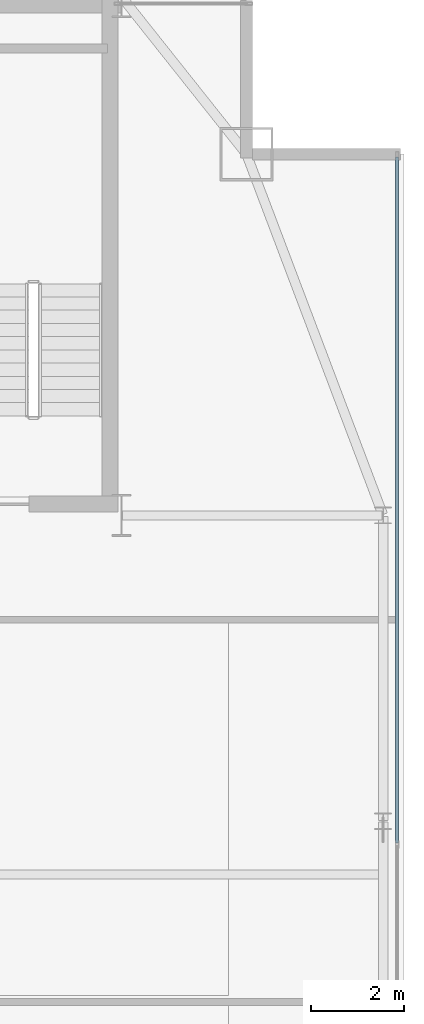
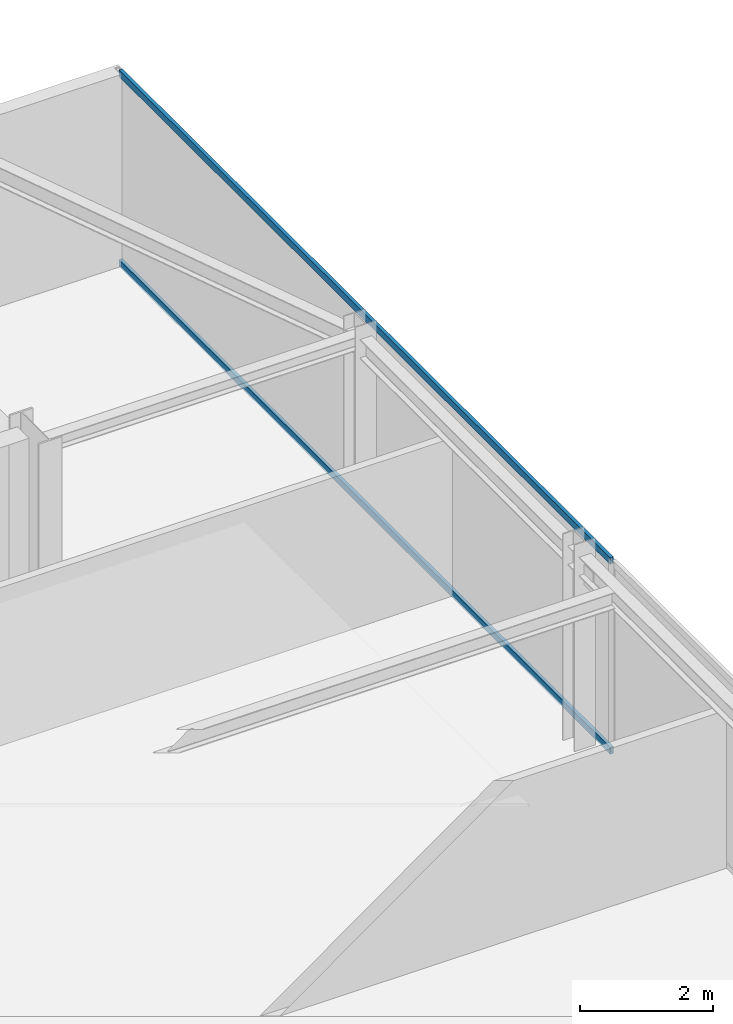
# One storey, part 16 of 25: 2 members, 1 element without a shape of its own.
"""IFC4 building model written with IfcOpenShell, lengths in metres."""

from ifc_helpers import new_model, si_unit, direction, frame, origin, origin_2d, place, context, subcontext, project, spatial, hollow_rectangle, extrude, source, transform, mapped, material, layer, layer_set, material_profile, profile_set, type_object, type_shapes, element, aggregate, save


model = new_model("IFC4")

# Units and contexts
model_context = context("Model", 3, precision=1e-05, world=origin(), true_north=direction((0.0, 1.0)))
body_context = subcontext(model_context, "Body", "Model", "MODEL_VIEW")
ifc_project = project(units=[si_unit("LENGTHUNIT", "METRE"), si_unit("AREAUNIT", "SQUARE_METRE"), si_unit("VOLUMEUNIT", "CUBIC_METRE"), si_unit("PLANEANGLEUNIT", "RADIAN"), si_unit("MASSUNIT", "GRAM", prefix="KILO")], contexts=[model_context])

# Site, building, storey
site_placement = place(None, origin())
site = spatial("IfcSite", under=ifc_project, at=site_placement, CompositionType="ELEMENT")
building_placement = place(site_placement, origin())
building = spatial("IfcBuilding", under=site, at=building_placement, Name="Varnel Quay Broadcast Tower", CompositionType="ELEMENT")
storey_placement = place(building_placement, frame((0.0, 0.0, 250.800048828125)))
storey = spatial("IfcBuildingStorey", under=building, at=storey_placement, Name="L62", CompositionType="ELEMENT", Elevation=250.800048828125)

# Curtain wall, members
ifc_material = material(Name="Anodised Bronze Aluminium 6063-T6", Category="aluminium")
ifc_layer = layer(ifc_material, 0.18994140625, Name="Anodised Bronze Aluminium 6063-T6")
ifc_layer_set = layer_set([ifc_layer], Name="Anodised Bronze Aluminium 6063-T6")
curtain_wall_type = type_object("IfcCurtainWallType", Name="CW_UpperTower", PredefinedType="NOTDEFINED", material=ifc_layer_set)
curtain_wall_placement = place(storey_placement, origin())
curtain_wall = element("IfcCurtainWall", 1, at=curtain_wall_placement, inside=storey, type_object=curtain_wall_type, Name="L62 East Unitised Curtain Wall", PredefinedType="NOTDEFINED")
ifc_material_profile = material_profile(ifc_material, hollow_rectangle(XDim=0.06005859375, YDim=0.125, WallThickness=0.0029296875, at=origin_2d()), Name="ALU60X125X3")
ifc_profile_set = profile_set([ifc_material_profile], Name="Anodised Bronze Aluminium 6063-T6")
member_type = type_object("IfcMemberType", Name="Tran_CWS-03", PredefinedType="USERDEFINED", material=ifc_profile_set)
shared_shape = source(origin(), body_context, "Body", "SweptSolid", [
    extrude(hollow_rectangle(XDim=0.06005859375, YDim=0.125, WallThickness=0.0029296875, at=origin_2d()), origin(), (0.0, 0.0, 1.0), 14.802490234375),
])
type_shapes(member_type, [shared_shape])
member_1_placement = place(storey_placement, frame((58.35009765625, 28.532470703125, 0.030029296875), z_axis=(0.0, 1.0, 0.0), x_axis=(-1.0, 0.0, 0.0)))
member_1 = element("IfcMember", 2, at=member_1_placement, type_object=member_type, Name="CWS-03 transom 2.1", ObjectType="TRANSOM", PredefinedType="USERDEFINED", context=body_context, shape_type="MappedRepresentation", body=[
    mapped(shared_shape, transform((0.0, 0.0, 0.0), x_axis=(1.0, 0.0, 0.0), y_axis=(0.0, 1.0, 0.0), z_axis=(0.0, 0.0, 1.0), scale=1.0)),
])
member_2_placement = place(storey_placement, frame((58.35009765625, 28.532470703125, 3.52001953125), z_axis=(0.0, 1.0, 0.0), x_axis=(-1.0, 0.0, 0.0)))
member_2 = element("IfcMember", 3, at=member_2_placement, type_object=member_type, Name="CWS-03 transom 2.2", ObjectType="TRANSOM", PredefinedType="USERDEFINED", context=body_context, shape_type="MappedRepresentation", body=[
    mapped(shared_shape, transform((0.0, 0.0, 0.0), x_axis=(1.0, 0.0, 0.0), y_axis=(0.0, 1.0, 0.0), z_axis=(0.0, 0.0, 1.0), scale=1.0)),
])
aggregate(curtain_wall, [member_1, member_2])

save(model, "model.ifc")
